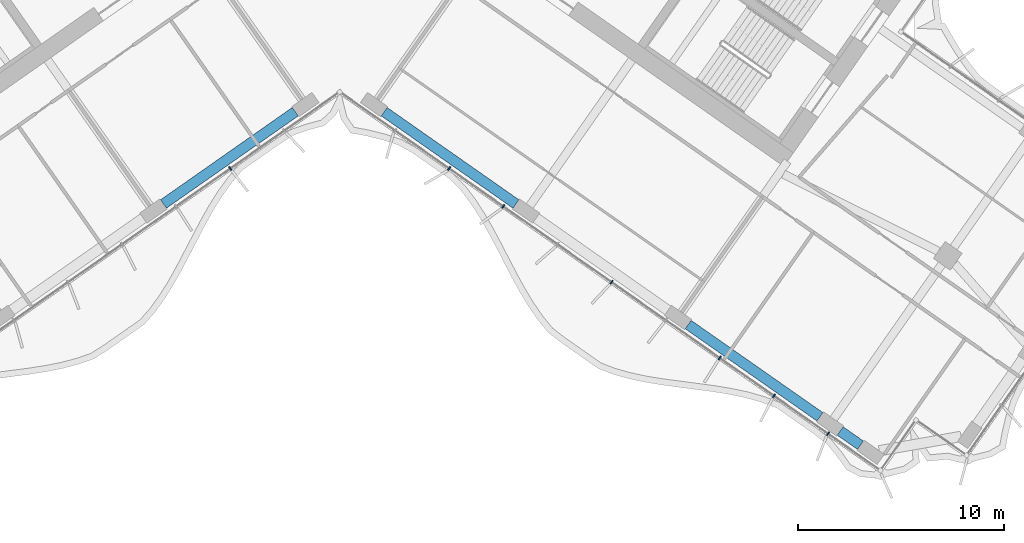
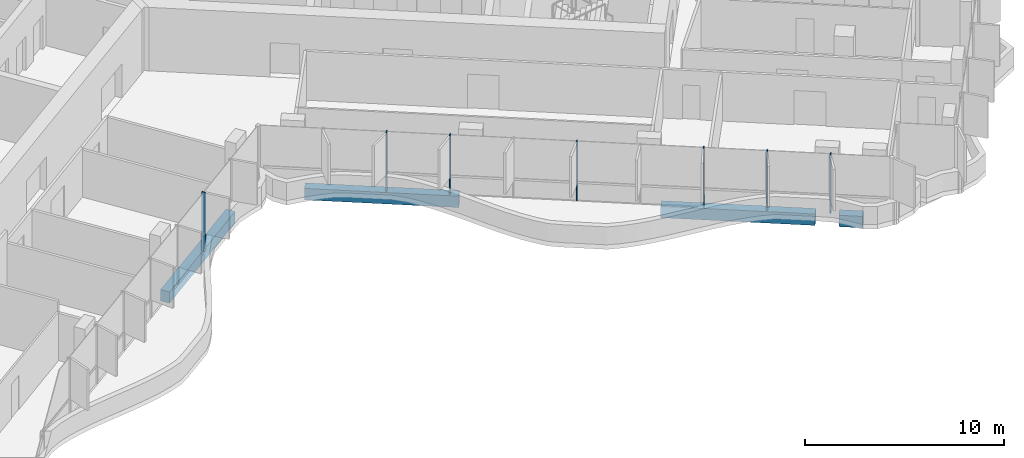
# One storey, part 5 of 23: 7 members, 4 beams, 1 element without a shape of its own.
"""IFC4 building model written with IfcOpenShell, lengths in metres."""

from ifc_helpers import new_model, si_unit, direction, frame, origin, origin_2d, place, context, subcontext, project, spatial, rectangle, extrude, material, material_profile, profile_set, type_object, element, aggregate, save


model = new_model("IFC4")

# Units and contexts
model_context = context("Model", 3, precision=1e-05, world=origin(), true_north=direction((0.0, 1.0)))
body_context = subcontext(model_context, "Body", "Model", "MODEL_VIEW")
ifc_project = project(units=[si_unit("LENGTHUNIT", "METRE"), si_unit("AREAUNIT", "SQUARE_METRE"), si_unit("VOLUMEUNIT", "CUBIC_METRE"), si_unit("PLANEANGLEUNIT", "RADIAN"), si_unit("MASSUNIT", "GRAM", prefix="KILO")], contexts=[model_context])

# Site, building, storey
site_placement = place(None, origin())
site = spatial("IfcSite", under=ifc_project, at=site_placement, CompositionType="ELEMENT")
building_placement = place(site_placement, origin())
building = spatial("IfcBuilding", under=site, at=building_placement, Name="Tel Ilan Convention Tower", CompositionType="ELEMENT")
storey_placement = place(building_placement, frame((0.0, 0.0, 182.699951171875)))
storey = spatial("IfcBuildingStorey", under=building, at=storey_placement, Name="L42", CompositionType="ELEMENT", Elevation=182.699951171875)

# Beams
ifc_material_1 = material(Name="Concrete C40/50", Category="concrete")
ifc_material_profile_1 = material_profile(ifc_material_1, rectangle(XDim=0.5, YDim=0.699951171875, at=origin_2d()), Name="RC 500x700")
ifc_profile_set_1 = profile_set([ifc_material_profile_1], Name="Concrete C40/50")
beam_type = type_object("IfcBeamType", Name="Beam RC 500x700 Concrete C40/50", PredefinedType="BEAM", material=ifc_profile_set_1)
for number, where, z_axis, x_axis, name in (
    (1, (-2.15673828125, -13.656982421875, -0.6298828125), (-0.819153977895, -0.573573674866, 0.0), (0.573573674866, -0.819153977895, 0.0), "L42 beam W-W-F1-W-F2"),
    (2, (2.15673828125, -13.656982421875, -0.6298828125), (0.819153977895, -0.573573674866, 0.0), (0.573573674866, 0.819153977895, 0.0), "L42 beam E-E-F1-E-F2"),
    (3, (16.901611328125, -23.981201171875, -0.6298828125), (0.819153977895, -0.573573674866, 0.0), (0.573573674866, 0.819153977895, 0.0), "L42 beam E-E-F3-E-F4"),
):
    element("IfcBeam", number, at=place(storey_placement, frame(where, z_axis=z_axis, x_axis=x_axis)), inside=storey, type_object=beam_type, Name=name, PredefinedType="BEAM", context=body_context, shape_type="SweptSolid", body=[
        extrude(rectangle(XDim=0.5, YDim=0.699951171875, at=origin_2d()), origin(), (0.0, 0.0, 1.0), 7.800048828125),
    ])
beam_placement = place(storey_placement, frame((24.27392578125, -29.1435546875, -0.6298828125), z_axis=(0.819155442668, -0.573571582932, 0.0), x_axis=(0.573571582932, 0.819155442668, 0.0)))
element("IfcBeam", 4, at=beam_placement, inside=storey, type_object=beam_type, Name="L42 beam E-E-F4-E-FC", PredefinedType="BEAM", context=body_context, shape_type="SweptSolid", body=[
    extrude(rectangle(XDim=0.5, YDim=0.699951171875, at=origin_2d()), origin(), (0.0, 0.0, 1.0), 1.199951171875),
])

# Curtain wall, members
ifc_material_2 = material(Name="Aluminium, bronze anodised", Category="aluminium")
curtain_wall_type = type_object("IfcCurtainWallType", Name="CW4 STICK CURTAIN WALL, OFFICE TINTED GLASS", PredefinedType="NOTDEFINED", material=ifc_material_2)
curtain_wall_placement = place(storey_placement, origin())
curtain_wall = element("IfcCurtainWall", 5, at=curtain_wall_placement, inside=storey, type_object=curtain_wall_type, Name="Curtain wall CW4-32.02", PredefinedType="NOTDEFINED")
ifc_material_3 = material(Name="Aluminium, bronze anodised", Category="aluminium")
ifc_material_profile_2 = material_profile(ifc_material_3, rectangle(XDim=0.06005859375, YDim=0.199951171875, at=origin_2d()), Name="CW MULLION 60x200")
ifc_profile_set_2 = profile_set([ifc_material_profile_2], Name="Aluminium, bronze anodised")
member_type = type_object("IfcMemberType", Name="CW MULLION 60x200", PredefinedType="MULLION", material=ifc_profile_set_2)
member_1_placement = place(storey_placement, frame((-5.307861328125, -16.41259765625, 0.0), z_axis=(0.0, 0.0, 1.0), x_axis=(0.819152044289, 0.573576436351, 0.0)))
member_1 = element("IfcMember", 6, at=member_1_placement, type_object=member_type, Name="Mullion", PredefinedType="MULLION", context=body_context, shape_type="SweptSolid", body=[
    extrude(rectangle(XDim=0.06005859375, YDim=0.199951171875, at=origin_2d()), origin(), (0.0, 0.0, 1.0), 3.6201171875),
])
member_2_placement = place(storey_placement, frame((5.307861328125, -16.41259765625, 0.0), z_axis=(0.0, 0.0, 1.0), x_axis=(0.819152044289, -0.573576436351, 0.0)))
member_2 = element("IfcMember", 7, at=member_2_placement, type_object=member_type, Name="Mullion", PredefinedType="MULLION", context=body_context, shape_type="SweptSolid", body=[
    extrude(rectangle(XDim=0.06005859375, YDim=0.199951171875, at=origin_2d()), origin(), (0.0, 0.0, 1.0), 3.6201171875),
])
member_3_placement = place(storey_placement, frame((7.932861328125, -18.250732421875, 0.0), z_axis=(0.0, 0.0, 1.0), x_axis=(0.819152044289, -0.573576436351, 0.0)))
member_3 = element("IfcMember", 8, at=member_3_placement, type_object=member_type, Name="Mullion", PredefinedType="MULLION", context=body_context, shape_type="SweptSolid", body=[
    extrude(rectangle(XDim=0.06005859375, YDim=0.199951171875, at=origin_2d()), origin(), (0.0, 0.0, 1.0), 3.6201171875),
])
member_4_placement = place(storey_placement, frame((13.183349609375, -21.92724609375, 0.0), z_axis=(0.0, 0.0, 1.0), x_axis=(0.819152044289, -0.573576436351, 0.0)))
member_4 = element("IfcMember", 9, at=member_4_placement, type_object=member_type, Name="Mullion", PredefinedType="MULLION", context=body_context, shape_type="SweptSolid", body=[
    extrude(rectangle(XDim=0.06005859375, YDim=0.199951171875, at=origin_2d()), origin(), (0.0, 0.0, 1.0), 3.6201171875),
])
member_5_placement = place(storey_placement, frame((18.433837890625, -25.603515625, 0.0), z_axis=(0.0, 0.0, 1.0), x_axis=(0.819152044289, -0.573576436351, 0.0)))
member_5 = element("IfcMember", 10, at=member_5_placement, type_object=member_type, Name="Mullion", PredefinedType="MULLION", context=body_context, shape_type="SweptSolid", body=[
    extrude(rectangle(XDim=0.06005859375, YDim=0.199951171875, at=origin_2d()), origin(), (0.0, 0.0, 1.0), 3.6201171875),
])
member_6_placement = place(storey_placement, frame((21.05908203125, -27.441650390625, 0.0), z_axis=(0.0, 0.0, 1.0), x_axis=(0.819152044289, -0.573576436351, 0.0)))
member_6 = element("IfcMember", 11, at=member_6_placement, type_object=member_type, Name="Mullion", PredefinedType="MULLION", context=body_context, shape_type="SweptSolid", body=[
    extrude(rectangle(XDim=0.06005859375, YDim=0.199951171875, at=origin_2d()), origin(), (0.0, 0.0, 1.0), 3.6201171875),
])
member_7_placement = place(storey_placement, frame((23.68408203125, -29.27978515625, 0.0), z_axis=(0.0, 0.0, 1.0), x_axis=(0.819152044289, -0.573576436351, 0.0)))
member_7 = element("IfcMember", 12, at=member_7_placement, type_object=member_type, Name="Mullion", PredefinedType="MULLION", context=body_context, shape_type="SweptSolid", body=[
    extrude(rectangle(XDim=0.06005859375, YDim=0.199951171875, at=origin_2d()), origin(), (0.0, 0.0, 1.0), 3.6201171875),
])
aggregate(curtain_wall, [member_1, member_2, member_3, member_4, member_5, member_6, member_7])

save(model, "model.ifc")
